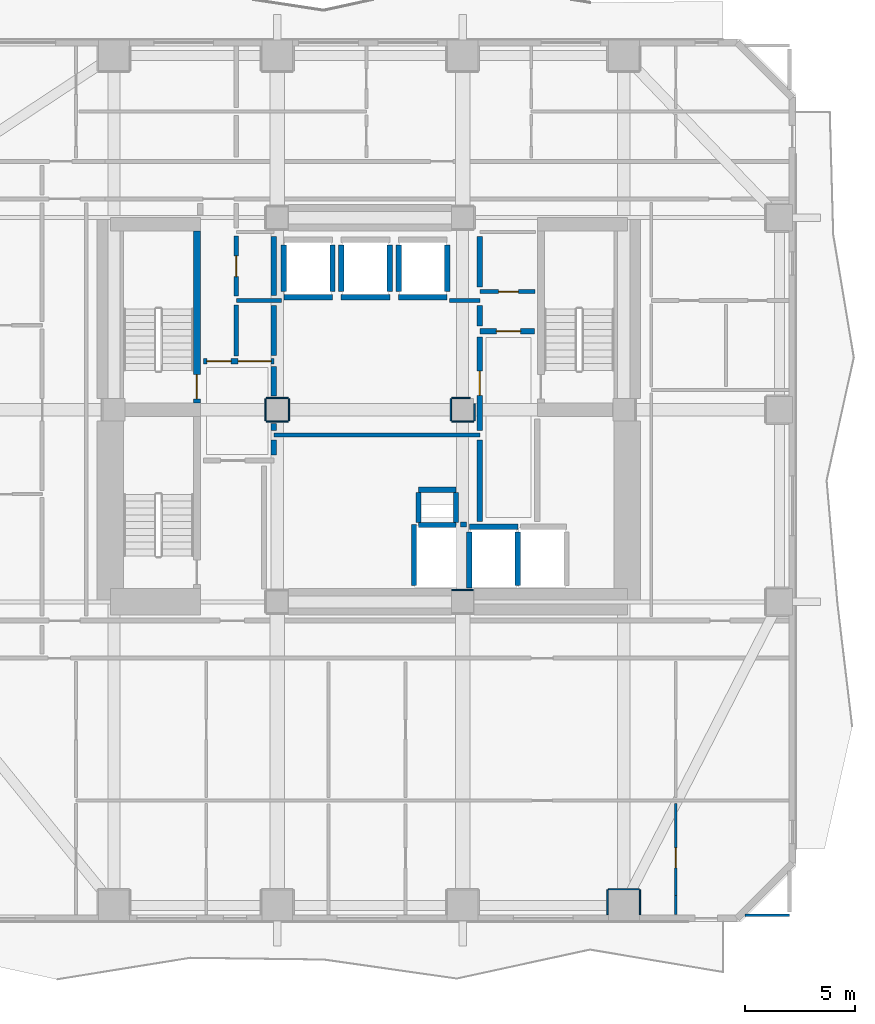
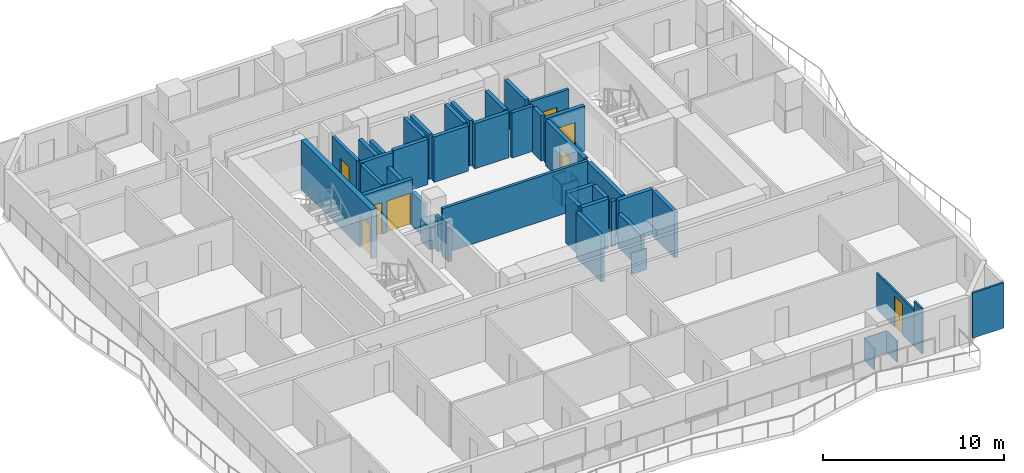
# One storey, part 4 of 11: 51 walls, 8 doors, 8 openings.
"""IFC4 building model written with IfcOpenShell, lengths in metres."""

from ifc_helpers import new_model, si_unit, direction, frame, frame_2d, origin, place, context, subcontext, project, spatial, rectangle, extrude, material, layer, layer_set, type_object, element, fill, save


model = new_model("IFC4")

# Units and contexts
model_context = context("Model", 3, precision=1e-05, world=origin(), true_north=direction((0.0, 1.0)))
body_context = subcontext(model_context, "Body", "Model", "MODEL_VIEW")
ifc_project = project(units=[si_unit("LENGTHUNIT", "METRE"), si_unit("AREAUNIT", "SQUARE_METRE"), si_unit("VOLUMEUNIT", "CUBIC_METRE"), si_unit("PLANEANGLEUNIT", "RADIAN"), si_unit("MASSUNIT", "GRAM", prefix="KILO")], contexts=[model_context])

# Site, building, storey
site_placement = place(None, origin())
site = spatial("IfcSite", under=ifc_project, at=site_placement, CompositionType="ELEMENT")
building_placement = place(site_placement, origin())
building = spatial("IfcBuilding", under=site, at=building_placement, Name="Solanera Arch Residences", CompositionType="ELEMENT")
storey_placement = place(building_placement, frame((0.0, 0.0, 28.639892578125)))
storey = spatial("IfcBuildingStorey", under=building, at=storey_placement, Name="L07", CompositionType="ELEMENT", Elevation=28.639892578125)

# Walls
ifc_material_1 = material(Name="Fire-Rated Gypsum Stud Partition", Category="gypsum")
ifc_layer_1 = layer(ifc_material_1, 0.06005859375)
ifc_layer_set_1 = layer_set([ifc_layer_1], Name="Fire-Rated Gypsum Stud Partition")
wall_type_1 = type_object("IfcWallType", Name="Column Acoustic Furring Wall 60", PredefinedType="PARTITIONING", material=ifc_layer_set_1)
wall_1_placement = place(storey_placement, frame((28.7099609375, 22.531982421875, 0.0), z_axis=(0.0, 0.0, 1.0), x_axis=(1.0, 0.0, 0.0)))
element("IfcWall", 1, at=wall_1_placement, inside=storey, type_object=wall_type_1, Name="L07 Column Furring 2N", PredefinedType="PARTITIONING", context=body_context, shape_type="SweptSolid", body=[
    extrude(rectangle(XDim=0.97998046875, YDim=0.06005859375, at=frame_2d((0.489990234375, 0.0))), origin(), (0.0, 0.0, 1.0), 1.4501953125),
])
for number, where, z_axis, x_axis, name in (
    (2, (20.300048828125, 30.16796875, 0.0), (0.0, 0.0, 1.0), (1.0, 0.0, 0.0), "L07 Column Furring 7S"),
    (3, (20.300048828125, 31.23193359375, 0.0), (0.0, 0.0, 1.0), (1.0, 0.0, 0.0), "L07 Column Furring 7N"),
    (4, (20.26806640625, 30.199951171875, 0.0), (0.0, 0.0, 1.0), (0.0, 1.0, 0.0), "L07 Column Furring 7W"),
    (5, (21.33203125, 30.199951171875, 0.0), (0.0, 0.0, 1.0), (0.0, 1.0, 0.0), "L07 Column Furring 7E"),
    (6, (28.699951171875, 30.16796875, 0.0), (0.0, 0.0, 1.0), (1.0, 0.0, 0.0), "L07 Column Furring 8S"),
):
    element("IfcWall", number, at=place(storey_placement, frame(where, z_axis=z_axis, x_axis=x_axis)), inside=storey, type_object=wall_type_1, Name=name, PredefinedType="PARTITIONING", context=body_context, shape_type="SweptSolid", body=[
        extrude(rectangle(XDim=1.0, YDim=0.06005859375, at=frame_2d((0.5, 0.0))), origin(), (0.0, 0.0, 1.0), 1.4501953125),
    ])
wall_2_placement = place(storey_placement, frame((28.699951171875, 31.23193359375, 0.0), z_axis=(0.0, 0.0, 1.0), x_axis=(1.0, 0.0, 0.0)))
element("IfcWall", 7, at=wall_2_placement, inside=storey, type_object=wall_type_1, Name="L07 Column Furring 8N", PredefinedType="PARTITIONING", context=body_context, shape_type="SweptSolid", body=[
    extrude(rectangle(XDim=0.841064453125, YDim=0.06005859375, at=frame_2d((0.42041015625, 0.0))), origin(), (0.0, 0.0, 1.0), 1.4501953125),
])
wall_3_placement = place(storey_placement, frame((28.66796875, 30.199951171875, 0.0), z_axis=(0.0, 0.0, 1.0), x_axis=(0.0, 1.0, 0.0)))
element("IfcWall", 8, at=wall_3_placement, inside=storey, type_object=wall_type_1, Name="L07 Column Furring 8W", PredefinedType="PARTITIONING", context=body_context, shape_type="SweptSolid", body=[
    extrude(rectangle(XDim=1.0, YDim=0.06005859375, at=frame_2d((0.5, 0.0))), origin(), (0.0, 0.0, 1.0), 1.4501953125),
])
wall_4_placement = place(storey_placement, frame((29.73193359375, 30.199951171875, 0.0), z_axis=(0.0, 0.0, 1.0), x_axis=(0.0, 1.0, 0.0)))
element("IfcWall", 9, at=wall_4_placement, inside=storey, type_object=wall_type_1, Name="L07 Column Furring 8E", PredefinedType="PARTITIONING", context=body_context, shape_type="SweptSolid", body=[
    extrude(rectangle(XDim=0.77197265625, YDim=0.06005859375, at=frame_2d((0.385986328125, 0.0))), origin(), (0.0, 0.0, 1.0), 1.4501953125),
])
wall_5_placement = place(storey_placement, frame((35.800048828125, 8.98193359375, 0.0), z_axis=(0.0, 0.0, 1.0), x_axis=(1.0, 0.0, 0.0)))
element("IfcWall", 10, at=wall_5_placement, inside=storey, type_object=wall_type_1, Name="L07 Column Furring 15N", PredefinedType="PARTITIONING", context=body_context, shape_type="SweptSolid", body=[
    extrude(rectangle(XDim=1.39990234375, YDim=0.06005859375, at=frame_2d((0.699951171875, 0.0))), origin(), (0.0, 0.0, 1.0), 1.4501953125),
])
for number, where, z_axis, x_axis, name in (
    (11, (35.76806640625, 7.830078125, 0.0), (0.0, 0.0, 1.0), (0.0, 1.0, 0.0), "L07 Column Furring 15W"),
    (12, (37.23193359375, 7.830078125, 0.0), (0.0, 0.0, 1.0), (0.0, 1.0, 0.0), "L07 Column Furring 15E"),
):
    element("IfcWall", number, at=place(storey_placement, frame(where, z_axis=z_axis, x_axis=x_axis)), inside=storey, type_object=wall_type_1, Name=name, PredefinedType="PARTITIONING", context=body_context, shape_type="SweptSolid", body=[
        extrude(rectangle(XDim=1.119873046875, YDim=0.06005859375, at=frame_2d((0.56005859375, 0.0))), origin(), (0.0, 0.0, 1.0), 1.4501953125),
    ])

# Wall, opening, door
ifc_material_2 = material(Name="Concrete C40/50 (f'c = 45 MPa)", Category="concrete")
ifc_layer_2 = layer(ifc_material_2, 0.320068359375)
ifc_layer_set_2 = layer_set([ifc_layer_2], Name="Concrete C40/50 (f'c = 45 MPa)")
wall_type_2 = type_object("IfcWallType", Name="Core Shear Wall CW-320", PredefinedType="SHEAR", material=ifc_layer_set_2)
wall_6_placement = place(storey_placement, frame((17.159912109375, 31.0, 0.0), z_axis=(0.0, 0.0, 1.0), x_axis=(0.0, 1.0, 0.0)))
wall_6 = element("IfcWall", 13, at=wall_6_placement, inside=storey, type_object=wall_type_2, Name="L07 Stair ST-T1 East Shear Wall", PredefinedType="SHEAR", context=body_context, shape_type="SweptSolid", body=[
    extrude(rectangle(XDim=7.800048828125, YDim=0.320068359375, at=frame_2d((3.89990234375, 0.0))), origin(), (0.0, 0.0, 1.0), 3.320068359375),
])
opening_1_placement = place(wall_6_placement, frame((0.18994140625, 0.0, 0.0)))
opening_1 = element("IfcOpeningElement", 14, at=opening_1_placement, cuts=wall_6, Name="Opening DF-01", PredefinedType="OPENING", context=body_context, shape_type="SweptSolid", body=[
    extrude(rectangle(XDim=1.10009765625, YDim=2.14990234375, at=frame_2d((0.550048828125, 1.074951171875))), frame((0.0, 0.169921875, 0.0), z_axis=(0.0, -1.0, 0.0), x_axis=(1.0, 0.0, 0.0)), (0.0, 0.0, 1.0), 0.3401),
])
ifc_material_3 = material(Name="Fire-Rated Architectural Hardwood", Category="wood")
door_type_1 = type_object("IfcDoorType", Name="Stair Exit Fire Door DF-01", OperationType="NOTDEFINED", PredefinedType="DOOR", material=ifc_material_3)
door_1_placement = place(opening_1_placement, origin())
door_1 = element("IfcDoor", 15, at=door_1_placement, inside=storey, type_object=door_type_1, Name="DR-L07-STAIR-ST-T1", OperationType="SINGLE_SWING_RIGHT", OverallHeight=2.14990234375, OverallWidth=1.10009765625, PredefinedType="DOOR", context=body_context, shape_type="SweptSolid", body=[
    extrude(rectangle(XDim=1.10009765625, YDim=2.14990234375, at=frame_2d((0.550048828125, 1.074951171875))), frame((0.0, 0.02490234375, 0.0), z_axis=(0.0, -1.0, 0.0), x_axis=(1.0, 0.0, 0.0)), (0.0, 0.0, 1.0), 0.050048828125),
])
fill(opening_1, door_1)

# Wall
ifc_material_4 = material(Name="Autoclaved Aerated Concrete Blockwork", Category="masonry")
ifc_layer_3 = layer(ifc_material_4, 0.179931640625)
ifc_layer_set_3 = layer_set([ifc_layer_3], Name="Autoclaved Aerated Concrete Blockwork")
wall_type_3 = type_object("IfcWallType", Name="Corridor Fire Partition 180", PredefinedType="PARTITIONING", material=ifc_layer_set_3)
wall_7_placement = place(storey_placement, frame((20.64990234375, 29.550048828125, 0.0), z_axis=(0.0, 0.0, 1.0), x_axis=(1.0, 0.0, 0.0)))
element("IfcWall", 16, at=wall_7_placement, inside=storey, type_object=wall_type_3, Name="L07 Interior Partition H9", PredefinedType="PARTITIONING", context=body_context, shape_type="SweptSolid", body=[
    extrude(rectangle(XDim=9.3251953125, YDim=0.179931640625, at=frame_2d((4.66259765625, 0.0))), origin(), (0.0, 0.0, 1.0), 3.06005859375),
])

# Wall, opening, door
wall_8_placement = place(storey_placement, frame((29.97509765625, 36.050048828125, 0.0), z_axis=(0.0, 0.0, 1.0), x_axis=(1.0, 0.0, 0.0)))
wall_8 = element("IfcWall", 17, at=wall_8_placement, inside=storey, type_object=wall_type_3, Name="L07 Interior Partition H10", PredefinedType="PARTITIONING", context=body_context, shape_type="SweptSolid", body=[
    extrude(rectangle(XDim=2.5048828125, YDim=0.179931640625, at=frame_2d((1.25244140625, 0.0))), origin(), (0.0, 0.0, 1.0), 3.06005859375),
])
opening_2_placement = place(wall_8_placement, frame((0.85205078125, 0.0, 0.0)))
opening_2 = element("IfcOpeningElement", 18, at=opening_2_placement, cuts=wall_8, Name="Opening DI-02", PredefinedType="OPENING", context=body_context, shape_type="SweptSolid", body=[
    extrude(rectangle(XDim=0.89990234375, YDim=2.10009765625, at=frame_2d((0.449951171875, 1.050048828125))), frame((0.0, 0.10009765625, 0.0), z_axis=(0.0, -1.0, 0.0), x_axis=(1.0, 0.0, 0.0)), (0.0, 0.0, 1.0), 0.1999),
])
ifc_material_5 = material(Name="Fire-Rated Architectural Hardwood", Category="wood")
door_type_2 = type_object("IfcDoorType", Name="Suite Room Swing Door DI-02", OperationType="NOTDEFINED", PredefinedType="DOOR", material=ifc_material_5)
door_2_placement = place(opening_2_placement, origin())
door_2 = element("IfcDoor", 19, at=door_2_placement, inside=storey, type_object=door_type_2, Name="DR-L07-IN-013", OperationType="SINGLE_SWING_RIGHT", OverallHeight=2.10009765625, OverallWidth=0.89990234375, PredefinedType="DOOR", context=body_context, shape_type="SweptSolid", body=[
    extrude(rectangle(XDim=0.89990234375, YDim=2.10009765625, at=frame_2d((0.449951171875, 1.050048828125))), frame((0.0, 0.02490234375, 0.0), z_axis=(0.0, -1.0, 0.0), x_axis=(1.0, 0.0, 0.0)), (0.0, 0.0, 1.0), 0.050048828125),
])
fill(opening_2, door_2)

# Walls
ifc_material_6 = material(Name="Autoclaved Aerated Concrete Blockwork", Category="masonry")
ifc_layer_4 = layer(ifc_material_6, 0.199951171875)
ifc_layer_set_4 = layer_set([ifc_layer_4], Name="Autoclaved Aerated Concrete Blockwork")
wall_type_4 = type_object("IfcWallType", Name="Party Wall Acoustic 200", PredefinedType="PARTITIONING", material=ifc_layer_set_4)
wall_9_placement = place(storey_placement, frame((18.949951171875, 35.64990234375, 0.0), z_axis=(0.0, 0.0, 1.0), x_axis=(1.0, 0.0, 0.0)))
element("IfcWall", 20, at=wall_9_placement, inside=storey, type_object=wall_type_4, Name="L07 Interior Partition H6 1", PredefinedType="PARTITIONING", context=body_context, shape_type="SweptSolid", body=[
    extrude(rectangle(XDim=2.046142578125, YDim=0.199951171875, at=frame_2d((1.02294921875, 0.0))), origin(), (0.0, 0.0, 1.0), 3.06005859375),
])
wall_10_placement = place(storey_placement, frame((28.60400390625, 35.64990234375, 0.0), z_axis=(0.0, 0.0, 1.0), x_axis=(1.0, 0.0, 0.0)))
element("IfcWall", 21, at=wall_10_placement, inside=storey, type_object=wall_type_4, Name="L07 Interior Partition H6 2", PredefinedType="PARTITIONING", context=body_context, shape_type="SweptSolid", body=[
    extrude(rectangle(XDim=1.37109375, YDim=0.199951171875, at=frame_2d((0.685546875, 0.0))), origin(), (0.0, 0.0, 1.0), 3.06005859375),
])
wall_11_placement = place(storey_placement, frame((18.949951171875, 33.1279296875, 0.0), z_axis=(0.0, 0.0, 1.0), x_axis=(0.0, 1.0, 0.0)))
element("IfcWall", 22, at=wall_11_placement, inside=storey, type_object=wall_type_4, Name="L07 Interior Partition V6 1", PredefinedType="PARTITIONING", context=body_context, shape_type="SweptSolid", body=[
    extrude(rectangle(XDim=2.31396484375, YDim=0.199951171875, at=frame_2d((1.156982421875, 0.0))), origin(), (0.0, 0.0, 1.0), 3.06005859375),
])

# Wall, opening, door
wall_12_placement = place(storey_placement, frame((18.949951171875, 35.85791015625, 0.0), z_axis=(0.0, 0.0, 1.0), x_axis=(0.0, 1.0, 0.0)))
wall_12 = element("IfcWall", 23, at=wall_12_placement, inside=storey, type_object=wall_type_4, Name="L07 Interior Partition V6 2", PredefinedType="PARTITIONING", context=body_context, shape_type="SweptSolid", body=[
    extrude(rectangle(XDim=2.714111328125, YDim=0.199951171875, at=frame_2d((1.35693359375, 0.0))), origin(), (0.0, 0.0, 1.0), 3.06005859375),
])
opening_3_placement = place(wall_12_placement, frame((0.866943359375, 0.0, 0.0)))
opening_3 = element("IfcOpeningElement", 24, at=opening_3_placement, cuts=wall_12, Name="Opening DI-04", PredefinedType="OPENING", context=body_context, shape_type="SweptSolid", body=[
    extrude(rectangle(XDim=0.949951171875, YDim=2.10009765625, at=frame_2d((0.47509765625, 1.050048828125))), frame((0.0, 0.110107421875, 0.0), z_axis=(0.0, -1.0, 0.0), x_axis=(1.0, 0.0, 0.0)), (0.0, 0.0, 1.0), 0.22),
])
ifc_material_7 = material(Name="Fire-Rated Architectural Hardwood", Category="wood")
door_type_3 = type_object("IfcDoorType", Name="Accessible Restroom Door DI-04", OperationType="NOTDEFINED", PredefinedType="DOOR", material=ifc_material_7)
door_3_placement = place(opening_3_placement, origin())
door_3 = element("IfcDoor", 25, at=door_3_placement, inside=storey, type_object=door_type_3, Name="DR-L07-IN-014", OperationType="SINGLE_SWING_LEFT", OverallHeight=2.10009765625, OverallWidth=0.949951171875, PredefinedType="DOOR", context=body_context, shape_type="SweptSolid", body=[
    extrude(rectangle(XDim=0.949951171875, YDim=2.10009765625, at=frame_2d((0.47509765625, 1.050048828125))), frame((0.0, 0.02490234375, 0.0), z_axis=(0.0, -1.0, 0.0), x_axis=(1.0, 0.0, 0.0)), (0.0, 0.0, 1.0), 0.050048828125),
])
fill(opening_3, door_3)

# Walls
ifc_material_8 = material(Name="Concrete C40/50 (f'c = 45 MPa)", Category="concrete")
ifc_layer_5 = layer(ifc_material_8, 0.239990234375)
ifc_layer_set_5 = layer_set([ifc_layer_5], Name="Concrete C40/50 (f'c = 45 MPa)")
wall_type_5 = type_object("IfcWallType", Name="Ramp Bearing Shear Wall RW-240", PredefinedType="SHEAR", material=ifc_layer_set_5)
for number, where, z_axis, x_axis, name in (
    (26, (27.199951171875, 25.47998046875, 0.0), (0.0, 0.0, 1.0), (1.0, 0.0, 0.0), "L07 Core MEP Riser South Shaft Wall"),
    (27, (27.199951171875, 27.080078125, 0.0), (0.0, 0.0, 1.0), (1.0, 0.0, 0.0), "L07 Core MEP Riser North Shaft Wall"),
):
    element("IfcWall", number, at=place(storey_placement, frame(where, z_axis=z_axis, x_axis=x_axis)), inside=storey, type_object=wall_type_5, Name=name, PredefinedType="SHEAR", context=body_context, shape_type="SweptSolid", body=[
        extrude(rectangle(XDim=1.699951171875, YDim=0.239990234375, at=frame_2d((0.85009765625, 0.0))), origin(), (0.0, 0.0, 1.0), 3.320068359375),
    ])
for number, where, z_axis, x_axis, name in (
    (28, (27.199951171875, 25.60009765625, 0.0), (0.0, 0.0, 1.0), (0.0, 1.0, 0.0), "L07 Core MEP Riser West Shaft Wall"),
    (29, (28.89990234375, 25.60009765625, 0.0), (0.0, 0.0, 1.0), (0.0, 1.0, 0.0), "L07 Core MEP Riser East Shaft Wall"),
):
    element("IfcWall", number, at=place(storey_placement, frame(where, z_axis=z_axis, x_axis=x_axis)), inside=storey, type_object=wall_type_5, Name=name, PredefinedType="SHEAR", context=body_context, shape_type="SweptSolid", body=[
        extrude(rectangle(XDim=1.35986328125, YDim=0.239990234375, at=frame_2d((0.679931640625, 0.0))), origin(), (0.0, 0.0, 1.0), 3.320068359375),
    ])
ifc_material_9 = material(Name="Autoclaved Aerated Concrete Blockwork", Category="masonry")
ifc_layer_6 = layer(ifc_material_9, 0.239990234375)
ifc_layer_set_6 = layer_set([ifc_layer_6], Name="Autoclaved Aerated Concrete Blockwork")
wall_type_6 = type_object("IfcWallType", Name="Shaft Wall Fire-Rated 240", PredefinedType="PARTITIONING", material=ifc_layer_set_6)
wall_13_placement = place(storey_placement, frame((21.10009765625, 35.800048828125, 0.0), z_axis=(0.0, 0.0, 1.0), x_axis=(1.0, 0.0, 0.0)))
element("IfcWall", 30, at=wall_13_placement, inside=storey, type_object=wall_type_6, Name="L07 Lift PL-L1 Hoistway Wall S", PredefinedType="PARTITIONING", context=body_context, shape_type="SweptSolid", body=[
    extrude(rectangle(XDim=2.199951171875, YDim=0.239990234375, at=frame_2d((1.10009765625, 0.0))), origin(), (0.0, 0.0, 1.0), 3.06005859375),
])
wall_14_placement = place(storey_placement, frame((21.10009765625, 36.048095703125, 0.0), z_axis=(0.0, 0.0, 1.0), x_axis=(0.0, 1.0, 0.0)))
element("IfcWall", 31, at=wall_14_placement, inside=storey, type_object=wall_type_6, Name="L07 Lift PL-L1 Hoistway Wall W", PredefinedType="PARTITIONING", context=body_context, shape_type="SweptSolid", body=[
    extrude(rectangle(XDim=2.10400390625, YDim=0.239990234375, at=frame_2d((1.052001953125, 0.0))), origin(), (0.0, 0.0, 1.0), 2.295166015625),
])
wall_15_placement = place(storey_placement, frame((23.300048828125, 36.048095703125, 0.0), z_axis=(0.0, 0.0, 1.0), x_axis=(0.0, 1.0, 0.0)))
element("IfcWall", 32, at=wall_15_placement, inside=storey, type_object=wall_type_6, Name="L07 Lift PL-L1 Hoistway Wall E", PredefinedType="PARTITIONING", context=body_context, shape_type="SweptSolid", body=[
    extrude(rectangle(XDim=2.10400390625, YDim=0.239990234375, at=frame_2d((1.052001953125, 0.0))), origin(), (0.0, 0.0, 1.0), 3.06005859375),
])
wall_16_placement = place(storey_placement, frame((23.699951171875, 35.800048828125, 0.0), z_axis=(0.0, 0.0, 1.0), x_axis=(1.0, 0.0, 0.0)))
element("IfcWall", 33, at=wall_16_placement, inside=storey, type_object=wall_type_6, Name="L07 Lift PL-L2 Hoistway Wall S", PredefinedType="PARTITIONING", context=body_context, shape_type="SweptSolid", body=[
    extrude(rectangle(XDim=2.199951171875, YDim=0.239990234375, at=frame_2d((1.10009765625, 0.0))), origin(), (0.0, 0.0, 1.0), 3.06005859375),
])
for number, where, z_axis, x_axis, name in (
    (34, (23.699951171875, 36.048095703125, 0.0), (0.0, 0.0, 1.0), (0.0, 1.0, 0.0), "L07 Lift PL-L2 Hoistway Wall W"),
    (35, (25.89990234375, 36.048095703125, 0.0), (0.0, 0.0, 1.0), (0.0, 1.0, 0.0), "L07 Lift PL-L2 Hoistway Wall E"),
):
    element("IfcWall", number, at=place(storey_placement, frame(where, z_axis=z_axis, x_axis=x_axis)), inside=storey, type_object=wall_type_6, Name=name, PredefinedType="PARTITIONING", context=body_context, shape_type="SweptSolid", body=[
        extrude(rectangle(XDim=2.10400390625, YDim=0.239990234375, at=frame_2d((1.052001953125, 0.0))), origin(), (0.0, 0.0, 1.0), 3.06005859375),
    ])
wall_17_placement = place(storey_placement, frame((26.300048828125, 35.800048828125, 0.0), z_axis=(0.0, 0.0, 1.0), x_axis=(1.0, 0.0, 0.0)))
element("IfcWall", 36, at=wall_17_placement, inside=storey, type_object=wall_type_6, Name="L07 Lift PL-L3 Hoistway Wall S", PredefinedType="PARTITIONING", context=body_context, shape_type="SweptSolid", body=[
    extrude(rectangle(XDim=2.199951171875, YDim=0.239990234375, at=frame_2d((1.10009765625, 0.0))), origin(), (0.0, 0.0, 1.0), 3.06005859375),
])
for number, where, z_axis, x_axis, name in (
    (37, (26.300048828125, 36.048095703125, 0.0), (0.0, 0.0, 1.0), (0.0, 1.0, 0.0), "L07 Lift PL-L3 Hoistway Wall W"),
    (38, (28.5, 36.048095703125, 0.0), (0.0, 0.0, 1.0), (0.0, 1.0, 0.0), "L07 Lift PL-L3 Hoistway Wall E"),
):
    element("IfcWall", number, at=place(storey_placement, frame(where, z_axis=z_axis, x_axis=x_axis)), inside=storey, type_object=wall_type_6, Name=name, PredefinedType="PARTITIONING", context=body_context, shape_type="SweptSolid", body=[
        extrude(rectangle(XDim=2.10400390625, YDim=0.239990234375, at=frame_2d((1.052001953125, 0.0))), origin(), (0.0, 0.0, 1.0), 3.06005859375),
    ])
wall_18_placement = place(storey_placement, frame((29.5, 25.39990234375, 0.0), z_axis=(0.0, 0.0, 1.0), x_axis=(1.0, 0.0, 0.0)))
element("IfcWall", 39, at=wall_18_placement, inside=storey, type_object=wall_type_6, Name="L07 Lift FFL-1 Hoistway Wall N", PredefinedType="PARTITIONING", context=body_context, shape_type="SweptSolid", body=[
    extrude(rectangle(XDim=2.199951171875, YDim=0.239990234375, at=frame_2d((1.10009765625, 0.0))), origin(), (0.0, 0.0, 1.0), 3.06005859375),
])
wall_19_placement = place(storey_placement, frame((29.5, 22.632080078125, 0.0), z_axis=(0.0, 0.0, 1.0), x_axis=(0.0, 1.0, 0.0)))
element("IfcWall", 40, at=wall_19_placement, inside=storey, type_object=wall_type_6, Name="L07 Lift FFL-1 Hoistway Wall W", PredefinedType="PARTITIONING", context=body_context, shape_type="SweptSolid", body=[
    extrude(rectangle(XDim=2.52001953125, YDim=0.239990234375, at=frame_2d((1.260009765625, 0.0))), origin(), (0.0, 0.0, 1.0), 2.295166015625),
])
wall_20_placement = place(storey_placement, frame((31.699951171875, 22.72998046875, 0.0), z_axis=(0.0, 0.0, 1.0), x_axis=(0.0, 1.0, 0.0)))
element("IfcWall", 41, at=wall_20_placement, inside=storey, type_object=wall_type_6, Name="L07 Lift FFL-1 Hoistway Wall E", PredefinedType="PARTITIONING", context=body_context, shape_type="SweptSolid", body=[
    extrude(rectangle(XDim=2.422119140625, YDim=0.239990234375, at=frame_2d((1.2109375, 0.0))), origin(), (0.0, 0.0, 1.0), 3.06005859375),
])
wall_21_placement = place(storey_placement, frame((29.10302734375, 25.5, 0.0), z_axis=(0.0, 0.0, 1.0), x_axis=(1.0, 0.0, 0.0)))
element("IfcWall", 42, at=wall_21_placement, inside=storey, type_object=wall_type_6, Name="L07 Lift SVL-1 Hoistway Wall N", PredefinedType="PARTITIONING", context=body_context, shape_type="SweptSolid", body=[
    extrude(rectangle(XDim=0.26904296875, YDim=0.239990234375, at=frame_2d((0.134521484375, 0.0))), origin(), (0.0, 0.0, 1.0), 3.06005859375),
])
wall_22_placement = place(storey_placement, frame((27.0, 22.72998046875, 0.0), z_axis=(0.0, 0.0, 1.0), x_axis=(0.0, 1.0, 0.0)))
element("IfcWall", 43, at=wall_22_placement, inside=storey, type_object=wall_type_6, Name="L07 Lift SVL-1 Hoistway Wall W", PredefinedType="PARTITIONING", context=body_context, shape_type="SweptSolid", body=[
    extrude(rectangle(XDim=2.76806640625, YDim=0.239990234375, at=frame_2d((1.384033203125, 0.0))), origin(), (0.0, 0.0, 1.0), 3.06005859375),
])

# Wall, openings, doors
wall_23_placement = place(storey_placement, frame((17.449951171875, 32.89990234375, 0.0), z_axis=(0.0, 0.0, 1.0), x_axis=(1.0, 0.0, 0.0)))
wall_23 = element("IfcWall", 44, at=wall_23_placement, inside=storey, type_object=wall_type_6, Name="L07 Interior Partition H4", PredefinedType="PARTITIONING", context=body_context, shape_type="SweptSolid", body=[
    extrude(rectangle(XDim=3.199951171875, YDim=0.239990234375, at=frame_2d((1.60009765625, 0.0))), origin(), (0.0, 0.0, 1.0), 3.06005859375),
])
opening_4_placement = place(wall_23_placement, frame((0.158935546875, 0.0, 0.0)))
opening_4 = element("IfcOpeningElement", 45, at=opening_4_placement, cuts=wall_23, Name="Opening DF-02", PredefinedType="OPENING", context=body_context, shape_type="SweptSolid", body=[
    extrude(rectangle(XDim=1.10009765625, YDim=2.14990234375, at=frame_2d((0.550048828125, 1.074951171875))), frame((0.0, 0.1298828125, 0.0), z_axis=(0.0, -1.0, 0.0), x_axis=(1.0, 0.0, 0.0)), (0.0, 0.0, 1.0), 0.26),
])
opening_5_placement = place(wall_23_placement, frame((1.575927734375, 0.0, 0.0)))
opening_5 = element("IfcOpeningElement", 46, at=opening_5_placement, cuts=wall_23, Name="Opening DP-01", PredefinedType="OPENING", context=body_context, shape_type="SweptSolid", body=[
    extrude(rectangle(XDim=1.5, YDim=2.14990234375, at=frame_2d((0.75, 1.074951171875))), frame((0.0, 0.1298828125, 0.0), z_axis=(0.0, -1.0, 0.0), x_axis=(1.0, 0.0, 0.0)), (0.0, 0.0, 1.0), 0.26),
])
ifc_material_10 = material(Name="Fire-Rated Architectural Hardwood", Category="wood")
door_type_4 = type_object("IfcDoorType", Name="Firefighting Lobby Fire Door DF-02", OperationType="NOTDEFINED", PredefinedType="DOOR", material=ifc_material_10)
door_4_placement = place(opening_4_placement, origin())
door_4 = element("IfcDoor", 47, at=door_4_placement, inside=storey, type_object=door_type_4, Name="DR-L07-IN-005", OperationType="SINGLE_SWING_RIGHT", OverallHeight=2.14990234375, OverallWidth=1.10009765625, PredefinedType="DOOR", context=body_context, shape_type="SweptSolid", body=[
    extrude(rectangle(XDim=1.10009765625, YDim=2.14990234375, at=frame_2d((0.550048828125, 1.074951171875))), frame((0.0, 0.02490234375, 0.0), z_axis=(0.0, -1.0, 0.0), x_axis=(1.0, 0.0, 0.0)), (0.0, 0.0, 1.0), 0.050048828125),
])
fill(opening_4, door_4)
ifc_material_11 = material(Name="Fire-Rated Architectural Hardwood", Category="wood")
door_type_5 = type_object("IfcDoorType", Name="Plant Double Fire Door DP-01", OperationType="NOTDEFINED", PredefinedType="DOOR", material=ifc_material_11)
door_5_placement = place(opening_5_placement, origin())
door_5 = element("IfcDoor", 48, at=door_5_placement, inside=storey, type_object=door_type_5, Name="DR-L07-IN-012", OperationType="SINGLE_SWING_LEFT", OverallHeight=2.14990234375, OverallWidth=1.5, PredefinedType="DOOR", context=body_context, shape_type="SweptSolid", body=[
    extrude(rectangle(XDim=1.5, YDim=2.14990234375, at=frame_2d((0.75, 1.074951171875))), frame((0.0, 0.02490234375, 0.0), z_axis=(0.0, -1.0, 0.0), x_axis=(1.0, 0.0, 0.0)), (0.0, 0.0, 1.0), 0.050048828125),
])
fill(opening_5, door_5)

# Wall, opening, door
wall_24_placement = place(storey_placement, frame((29.97509765625, 34.25, 0.0), z_axis=(0.0, 0.0, 1.0), x_axis=(1.0, 0.0, 0.0)))
wall_24 = element("IfcWall", 49, at=wall_24_placement, inside=storey, type_object=wall_type_6, Name="L07 Interior Partition H5", PredefinedType="PARTITIONING", context=body_context, shape_type="SweptSolid", body=[
    extrude(rectangle(XDim=2.474853515625, YDim=0.239990234375, at=frame_2d((1.2373046875, 0.0))), origin(), (0.0, 0.0, 1.0), 3.06005859375),
])
opening_6_placement = place(wall_24_placement, frame((0.751953125, 0.0, 0.0)))
opening_6 = element("IfcOpeningElement", 50, at=opening_6_placement, cuts=wall_24, Name="Opening DF-02", PredefinedType="OPENING", context=body_context, shape_type="SweptSolid", body=[
    extrude(rectangle(XDim=1.10009765625, YDim=2.14990234375, at=frame_2d((0.550048828125, 1.074951171875))), frame((0.0, 0.1298828125, 0.0), z_axis=(0.0, -1.0, 0.0), x_axis=(1.0, 0.0, 0.0)), (0.0, 0.0, 1.0), 0.26),
])
door_6_placement = place(opening_6_placement, origin())
door_6 = element("IfcDoor", 51, at=door_6_placement, inside=storey, type_object=door_type_4, Name="DR-L07-IN-007", OperationType="SINGLE_SWING_RIGHT", OverallHeight=2.14990234375, OverallWidth=1.10009765625, PredefinedType="DOOR", context=body_context, shape_type="SweptSolid", body=[
    extrude(rectangle(XDim=1.10009765625, YDim=2.14990234375, at=frame_2d((0.550048828125, 1.074951171875))), frame((0.0, 0.02490234375, 0.0), z_axis=(0.0, -1.0, 0.0), x_axis=(1.0, 0.0, 0.0)), (0.0, 0.0, 1.0), 0.050048828125),
])
fill(opening_6, door_6)

# Walls
wall_25_placement = place(storey_placement, frame((20.64990234375, 28.64794921875, 0.0), z_axis=(0.0, 0.0, 1.0), x_axis=(0.0, 1.0, 0.0)))
element("IfcWall", 52, at=wall_25_placement, inside=storey, type_object=wall_type_6, Name="L07 Interior Partition V3 1", PredefinedType="PARTITIONING", context=body_context, shape_type="SweptSolid", body=[
    extrude(rectangle(XDim=0.68408203125, YDim=0.239990234375, at=frame_2d((0.342041015625, 0.0))), origin(), (0.0, 0.0, 1.0), 2.295166015625),
])
wall_26_placement = place(storey_placement, frame((20.64990234375, 29.76806640625, 0.0), z_axis=(0.0, 0.0, 1.0), x_axis=(0.0, 1.0, 0.0)))
element("IfcWall", 53, at=wall_26_placement, inside=storey, type_object=wall_type_6, Name="L07 Interior Partition V3 2", PredefinedType="PARTITIONING", context=body_context, shape_type="SweptSolid", body=[
    extrude(rectangle(XDim=0.300048828125, YDim=0.239990234375, at=frame_2d((0.14990234375, 0.0))), origin(), (0.0, 0.0, 1.0), 2.295166015625),
])
wall_27_placement = place(storey_placement, frame((20.64990234375, 31.33203125, 0.0), z_axis=(0.0, 0.0, 1.0), x_axis=(0.0, 1.0, 0.0)))
element("IfcWall", 54, at=wall_27_placement, inside=storey, type_object=wall_type_6, Name="L07 Interior Partition V3 3", PredefinedType="PARTITIONING", context=body_context, shape_type="SweptSolid", body=[
    extrude(rectangle(XDim=1.320068359375, YDim=0.239990234375, at=frame_2d((0.66015625, 0.0))), origin(), (0.0, 0.0, 1.0), 2.295166015625),
])
wall_28_placement = place(storey_placement, frame((20.64990234375, 33.14794921875, 0.0), z_axis=(0.0, 0.0, 1.0), x_axis=(0.0, 1.0, 0.0)))
element("IfcWall", 55, at=wall_28_placement, inside=storey, type_object=wall_type_6, Name="L07 Interior Partition V3 4", PredefinedType="PARTITIONING", context=body_context, shape_type="SweptSolid", body=[
    extrude(rectangle(XDim=2.274169921875, YDim=0.239990234375, at=frame_2d((1.13720703125, 0.0))), origin(), (0.0, 0.0, 1.0), 2.295166015625),
])
wall_29_placement = place(storey_placement, frame((20.64990234375, 35.8779296875, 0.0), z_axis=(0.0, 0.0, 1.0), x_axis=(0.0, 1.0, 0.0)))
element("IfcWall", 56, at=wall_29_placement, inside=storey, type_object=wall_type_6, Name="L07 Interior Partition V3 5", PredefinedType="PARTITIONING", context=body_context, shape_type="SweptSolid", body=[
    extrude(rectangle(XDim=2.674072265625, YDim=0.239990234375, at=frame_2d((1.3369140625, 0.0))), origin(), (0.0, 0.0, 1.0), 2.295166015625),
])
wall_30_placement = place(storey_placement, frame((29.97509765625, 25.64794921875, 0.0), z_axis=(0.0, 0.0, 1.0), x_axis=(0.0, 1.0, 0.0)))
element("IfcWall", 57, at=wall_30_placement, inside=storey, type_object=wall_type_6, Name="L07 Interior Partition V4 1", PredefinedType="PARTITIONING", context=body_context, shape_type="SweptSolid", body=[
    extrude(rectangle(XDim=3.68408203125, YDim=0.239990234375, at=frame_2d((1.842041015625, 0.0))), origin(), (0.0, 0.0, 1.0), 3.06005859375),
])

# Wall, opening, door
wall_31_placement = place(storey_placement, frame((29.97509765625, 29.76806640625, 0.0), z_axis=(0.0, 0.0, 1.0), x_axis=(0.0, 1.0, 0.0)))
wall_31 = element("IfcWall", 58, at=wall_31_placement, inside=storey, type_object=wall_type_6, Name="L07 Interior Partition V4 2", PredefinedType="PARTITIONING", context=body_context, shape_type="SweptSolid", body=[
    extrude(rectangle(XDim=4.23388671875, YDim=0.239990234375, at=frame_2d((2.116943359375, 0.0))), origin(), (0.0, 0.0, 1.0), 3.06005859375),
])
opening_7_placement = place(wall_31_placement, frame((1.58203125, 0.0, 0.0)))
opening_7 = element("IfcOpeningElement", 59, at=opening_7_placement, cuts=wall_31, Name="Opening DF-02", PredefinedType="OPENING", context=body_context, shape_type="SweptSolid", body=[
    extrude(rectangle(XDim=1.10009765625, YDim=2.14990234375, at=frame_2d((0.550048828125, 1.074951171875))), frame((0.0, 0.1298828125, 0.0), z_axis=(0.0, -1.0, 0.0), x_axis=(1.0, 0.0, 0.0)), (0.0, 0.0, 1.0), 0.26),
])
door_7_placement = place(opening_7_placement, origin())
door_7 = element("IfcDoor", 60, at=door_7_placement, inside=storey, type_object=door_type_4, Name="DR-L07-IN-006", OperationType="SINGLE_SWING_LEFT", OverallHeight=2.14990234375, OverallWidth=1.10009765625, PredefinedType="DOOR", context=body_context, shape_type="SweptSolid", body=[
    extrude(rectangle(XDim=1.10009765625, YDim=2.14990234375, at=frame_2d((0.550048828125, 1.074951171875))), frame((0.0, 0.02490234375, 0.0), z_axis=(0.0, -1.0, 0.0), x_axis=(1.0, 0.0, 0.0)), (0.0, 0.0, 1.0), 0.050048828125),
])
fill(opening_7, door_7)

# Walls
wall_32_placement = place(storey_placement, frame((29.97509765625, 34.498046875, 0.0), z_axis=(0.0, 0.0, 1.0), x_axis=(0.0, 1.0, 0.0)))
element("IfcWall", 61, at=wall_32_placement, inside=storey, type_object=wall_type_6, Name="L07 Interior Partition V4 3", PredefinedType="PARTITIONING", context=body_context, shape_type="SweptSolid", body=[
    extrude(rectangle(XDim=0.924072265625, YDim=0.239990234375, at=frame_2d((0.4619140625, 0.0))), origin(), (0.0, 0.0, 1.0), 3.06005859375),
])
wall_33_placement = place(storey_placement, frame((29.97509765625, 36.26806640625, 0.0), z_axis=(0.0, 0.0, 1.0), x_axis=(0.0, 1.0, 0.0)))
element("IfcWall", 62, at=wall_33_placement, inside=storey, type_object=wall_type_6, Name="L07 Interior Partition V4 4", PredefinedType="PARTITIONING", context=body_context, shape_type="SweptSolid", body=[
    extrude(rectangle(XDim=2.283935546875, YDim=0.239990234375, at=frame_2d((1.14208984375, 0.0))), origin(), (0.0, 0.0, 1.0), 3.06005859375),
])
ifc_material_12 = material(Name="Fire-Rated Gypsum Stud Partition", Category="gypsum")
ifc_layer_7 = layer(ifc_material_12, 0.1201171875)
ifc_layer_set_7 = layer_set([ifc_layer_7], Name="Fire-Rated Gypsum Stud Partition")
wall_type_7 = type_object("IfcWallType", Name="Unit Drywall Partition 120", PredefinedType="PARTITIONING", material=ifc_layer_set_7)
wall_34_placement = place(storey_placement, frame((41.9990234375, 7.800048828125, 0.0), z_axis=(0.0, 0.0, 1.0), x_axis=(1.0, 0.0, 0.0)))
element("IfcWall", 63, at=wall_34_placement, inside=storey, type_object=wall_type_7, Name="L07 Interior Partition H22 2", PredefinedType="PARTITIONING", context=body_context, shape_type="SweptSolid", body=[
    extrude(rectangle(XDim=2.0009765625, YDim=0.1201171875, at=frame_2d((1.00048828125, 0.0))), origin(), (0.0, 0.0, 1.0), 3.06005859375),
])
wall_35_placement = place(storey_placement, frame((38.85498046875, 7.826904296875, 0.0), z_axis=(0.0, 0.0, 1.0), x_axis=(0.0, 1.0, 0.0)))
element("IfcWall", 64, at=wall_35_placement, inside=storey, type_object=wall_type_7, Name="L07 Interior Partition V27 1", PredefinedType="PARTITIONING", context=body_context, shape_type="SweptSolid", body=[
    extrude(rectangle(XDim=0.864013671875, YDim=0.1201171875, at=frame_2d((0.43212890625, 0.0))), origin(), (0.0, 0.0, 1.0), 3.06005859375),
])

# Wall, opening, door
wall_36_placement = place(storey_placement, frame((38.85498046875, 8.69091796875, 0.0), z_axis=(0.0, 0.0, 1.0), x_axis=(0.0, 1.0, 0.0)))
wall_36 = element("IfcWall", 65, at=wall_36_placement, inside=storey, type_object=wall_type_7, Name="L07 Interior Partition V27 2", PredefinedType="PARTITIONING", context=body_context, shape_type="SweptSolid", body=[
    extrude(rectangle(XDim=4.171142578125, YDim=0.1201171875, at=frame_2d((2.08544921875, 0.0))), origin(), (0.0, 0.0, 1.0), 2.445068359375),
])
opening_8_placement = place(wall_36_placement, frame((1.259033203125, 0.0, 0.0)))
opening_8 = element("IfcOpeningElement", 66, at=opening_8_placement, cuts=wall_36, Name="Opening DI-03", PredefinedType="OPENING", context=body_context, shape_type="SweptSolid", body=[
    extrude(rectangle(XDim=0.89990234375, YDim=2.10009765625, at=frame_2d((0.449951171875, 1.050048828125))), frame((0.0, 0.070068359375, 0.0), z_axis=(0.0, -1.0, 0.0), x_axis=(1.0, 0.0, 0.0)), (0.0, 0.0, 1.0), 0.1401),
])
ifc_material_13 = material(Name="Fire-Rated Architectural Hardwood", Category="wood")
door_type_6 = type_object("IfcDoorType", Name="Bedroom Swing Door DI-03", OperationType="NOTDEFINED", PredefinedType="DOOR", material=ifc_material_13)
door_8_placement = place(opening_8_placement, origin())
door_8 = element("IfcDoor", 67, at=door_8_placement, inside=storey, type_object=door_type_6, Name="DR-L07-IN-027", OperationType="SINGLE_SWING_RIGHT", OverallHeight=2.10009765625, OverallWidth=0.89990234375, PredefinedType="DOOR", context=body_context, shape_type="SweptSolid", body=[
    extrude(rectangle(XDim=0.89990234375, YDim=2.10009765625, at=frame_2d((0.449951171875, 1.050048828125))), frame((0.0, 0.02490234375, 0.0), z_axis=(0.0, -1.0, 0.0), x_axis=(1.0, 0.0, 0.0)), (0.0, 0.0, 1.0), 0.050048828125),
])
fill(opening_8, door_8)

save(model, "model.ifc")
